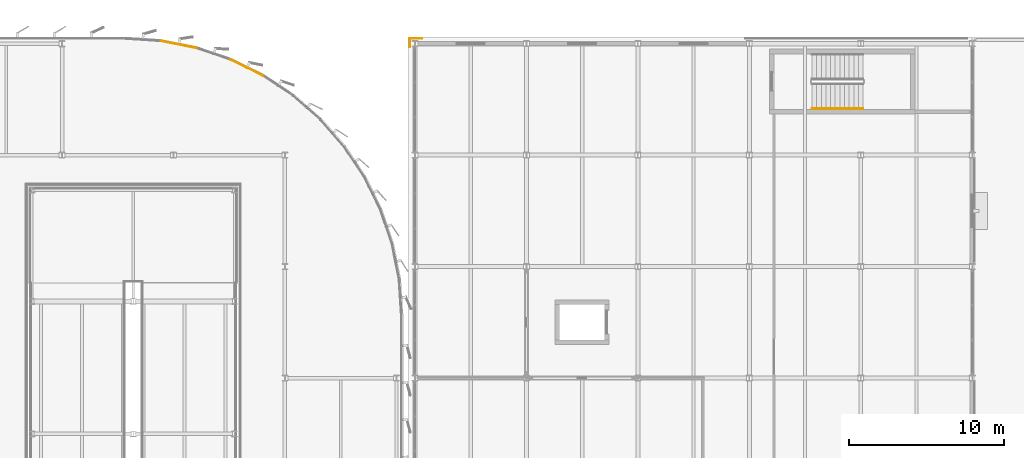
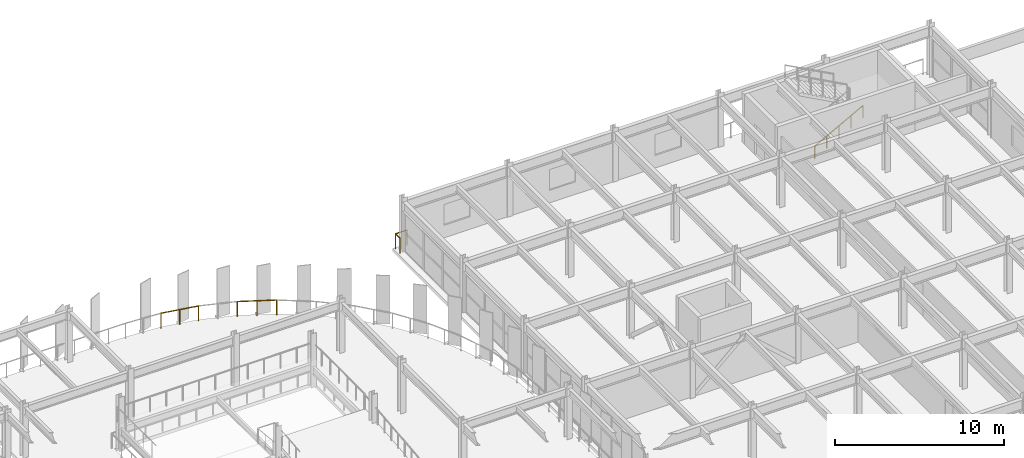
# One storey, part 77 of 80: 5 railings.
"""IFC4 building model written with IfcOpenShell, lengths in metres."""

from ifc_helpers import new_model, si_unit, direction, frame, origin, origin_2d, place, context, subcontext, project, spatial, circle, extrude, material, layer, layer_set, type_object, element, save


model = new_model("IFC4")

# Units and contexts
model_context = context("Model", 3, precision=1e-05, world=origin(), true_north=direction((0.0, 1.0)))
body_context = subcontext(model_context, "Body", "Model", "MODEL_VIEW")
ifc_project = project(units=[si_unit("LENGTHUNIT", "METRE"), si_unit("AREAUNIT", "SQUARE_METRE"), si_unit("VOLUMEUNIT", "CUBIC_METRE"), si_unit("PLANEANGLEUNIT", "RADIAN"), si_unit("MASSUNIT", "GRAM", prefix="KILO")], contexts=[model_context])

# Site, building, storey
site_placement = place(None, origin())
site = spatial("IfcSite", under=ifc_project, at=site_placement, CompositionType="ELEMENT")
building_placement = place(site_placement, origin())
building = spatial("IfcBuilding", under=site, at=building_placement, Name="Vaelcorin Mobility Hub", CompositionType="ELEMENT")
storey_placement = place(building_placement, frame((0.0, 0.0, 9.300048828125)))
storey = spatial("IfcBuildingStorey", under=building, at=storey_placement, Name="L02", CompositionType="ELEMENT", Elevation=9.300048828125)

# Railings
ifc_material_1 = material(Name="Galvanised structural steel ASTM A36", Category="steel")
ifc_layer_1 = layer(ifc_material_1, 0.070068359375)
ifc_layer_set_1 = layer_set([ifc_layer_1], Name="Galvanised structural steel ASTM A36")
railing_type_1 = type_object("IfcRailingType", Name="RL-GUARD-1100", PredefinedType="BALUSTRADE", material=ifc_layer_set_1)
railing_1_placement = place(storey_placement, frame((137.18408203125, 120.177001953125, 0.0)))
element("IfcRailing", 1, at=railing_1_placement, inside=storey, type_object=railing_type_1, Name="L02 Perimeter Guard GR-V2E-L02-03", PredefinedType="BALUSTRADE", context=body_context, shape_type="SweptSolid", body=[
    extrude(circle(Radius=0.02392578125, at=origin_2d()), frame((0.0, 0.0, 1.076171875), z_axis=(0.980804861331, -0.194991856212, 0.0), x_axis=(0.194991856212, 0.980804861331, 0.0)), (0.0, 0.0, 1.0), 2.3388671875),
    extrude(circle(Radius=0.02099609375, at=origin_2d()), origin(), (0.0, 0.0, 1.0), 1.052001953125),
    extrude(circle(Radius=0.02099609375, at=origin_2d()), frame((1.14697265625, -0.22802734375, 0.0)), (0.0, 0.0, 1.0), 1.052001953125),
    extrude(circle(Radius=0.02099609375, at=origin_2d()), frame((2.2939453125, -0.4560546875, 0.0)), (0.0, 0.0, 1.0), 1.052001953125),
])
railing_2_placement = place(storey_placement, frame((141.69189453125, 118.968994140625, 0.0)))
element("IfcRailing", 2, at=railing_2_placement, inside=storey, type_object=railing_type_1, Name="L02 Perimeter Guard GR-V2E-L02-05", PredefinedType="BALUSTRADE", context=body_context, shape_type="SweptSolid", body=[
    extrude(circle(Radius=0.02392578125, at=origin_2d()), frame((0.0, 0.0, 1.076171875), z_axis=(0.897000714078, -0.44202909287, 0.0), x_axis=(0.44202909287, 0.897000714078, 0.0)), (0.0, 0.0, 1.0), 2.339111328125),
    extrude(circle(Radius=0.02099609375, at=origin_2d()), origin(), (0.0, 0.0, 1.0), 1.052001953125),
    extrude(circle(Radius=0.02099609375, at=origin_2d()), frame((1.049072265625, -0.51708984375, 0.0)), (0.0, 0.0, 1.0), 1.052001953125),
    extrude(circle(Radius=0.02099609375, at=origin_2d()), frame((2.09814453125, -1.033935546875, 0.0)), (0.0, 0.0, 1.0), 1.052001953125),
])
railing_3_placement = place(storey_placement, frame((153.27001953125, 119.800048828125, 0.0)))
element("IfcRailing", 3, at=railing_3_placement, inside=storey, type_object=railing_type_1, Name="L02 Perimeter Guard GR-V5-L02-NW-CNR-01", PredefinedType="BALUSTRADE", context=body_context, shape_type="SweptSolid", body=[
    extrude(circle(Radius=0.02392578125, at=origin_2d()), frame((0.0, 0.0, 1.076171875), z_axis=(0.0, 1.0, 0.0), x_axis=(-1.0, 0.0, 0.0)), (0.0, 0.0, 1.0), 0.530029296875),
    extrude(circle(Radius=0.02099609375, at=origin_2d()), origin(), (0.0, 0.0, 1.0), 1.052001953125),
    extrude(circle(Radius=0.02099609375, at=origin_2d()), frame((0.0, 0.530029296875, 0.0)), (0.0, 0.0, 1.0), 1.052001953125),
])
railing_4_placement = place(storey_placement, frame((153.27001953125, 120.330078125, 0.0)))
element("IfcRailing", 4, at=railing_4_placement, inside=storey, type_object=railing_type_1, Name="L02 Perimeter Guard GR-V5-L02-NW-CNR-02", PredefinedType="BALUSTRADE", context=body_context, shape_type="SweptSolid", body=[
    extrude(circle(Radius=0.02392578125, at=origin_2d()), frame((0.0, 0.0, 1.076171875), z_axis=(1.0, 0.0, 0.0), x_axis=(0.0, 1.0, 0.0)), (0.0, 0.0, 1.0), 0.780029296875),
    extrude(circle(Radius=0.02099609375, at=origin_2d()), origin(), (0.0, 0.0, 1.0), 1.052001953125),
    extrude(circle(Radius=0.02099609375, at=origin_2d()), frame((0.780029296875, 0.0, 0.0)), (0.0, 0.0, 1.0), 1.052001953125),
])
ifc_material_2 = material(Name="Brushed stainless steel 316L", Category="steel")
ifc_layer_2 = layer(ifc_material_2, 0.048095703125)
ifc_layer_set_2 = layer_set([ifc_layer_2], Name="Brushed stainless steel 316L")
railing_type_2 = type_object("IfcRailingType", Name="RL-STAIR-HR", PredefinedType="HANDRAIL", material=ifc_layer_set_2)
railing_5_placement = place(storey_placement, frame((179.25, 115.800048828125, 0.162353515625)))
element("IfcRailing", 5, at=railing_5_placement, inside=storey, type_object=railing_type_2, Name="L02 ST6 stair handrail 1", PredefinedType="HANDRAIL", context=body_context, shape_type="SweptSolid", body=[
    extrude(circle(Radius=0.02392578125, at=origin_2d()), frame((0.0, 0.0, 0.8759765625), z_axis=(0.879284020681, 0.0, 0.476297817521), x_axis=(0.0, 1.0, 0.0)), (0.0, 0.0, 1.0), 3.753173828125),
    extrude(circle(Radius=0.02099609375, at=origin_2d()), origin(), (0.0, 0.0, 1.0), 0.851806640625),
    extrude(circle(Radius=0.02099609375, at=origin_2d()), frame((0.824951171875, 0.0, 0.44677734375)), (0.0, 0.0, 1.0), 0.851806640625),
    extrude(circle(Radius=0.02099609375, at=origin_2d()), frame((1.64990234375, 0.0, 0.893798828125)), (0.0, 0.0, 1.0), 0.851806640625),
    extrude(circle(Radius=0.02099609375, at=origin_2d()), frame((2.47509765625, 0.0, 1.3408203125)), (0.0, 0.0, 1.0), 0.851806640625),
    extrude(circle(Radius=0.02099609375, at=origin_2d()), frame((3.300048828125, 0.0, 1.78759765625)), (0.0, 0.0, 1.0), 0.851806640625),
])

save(model, "model.ifc")
